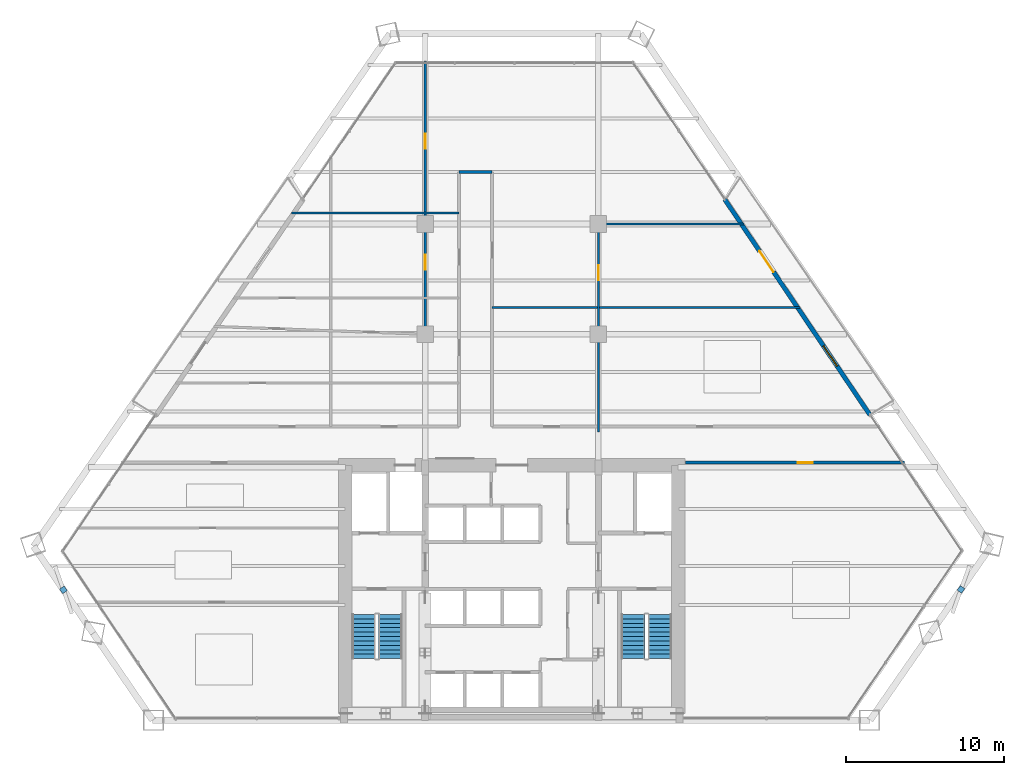
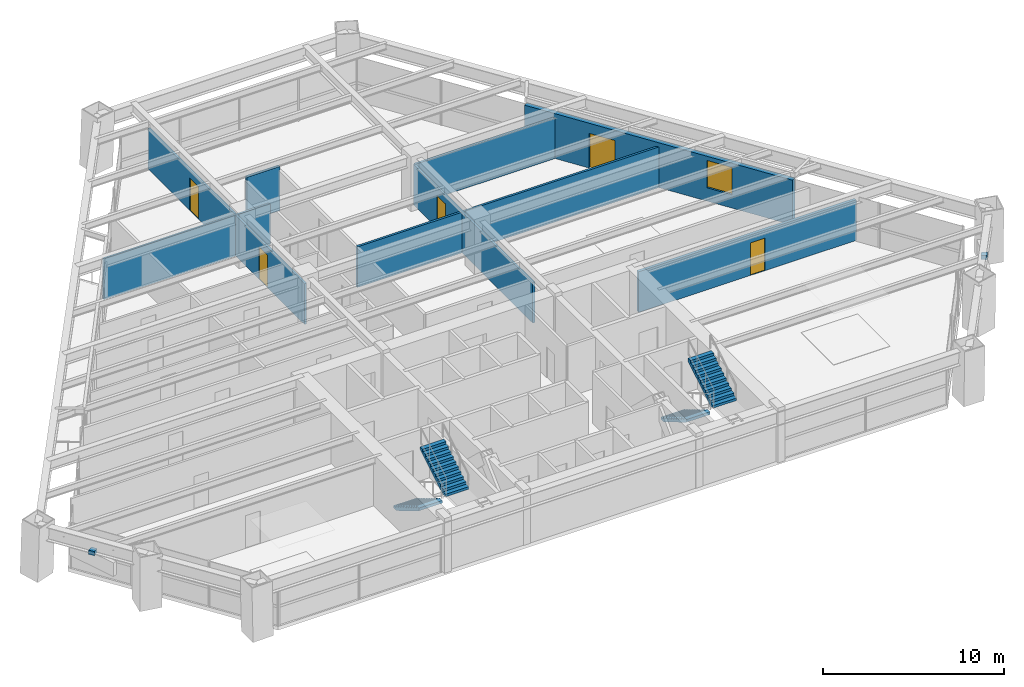
# One storey, part 12 of 14: 8 walls, 5 doors, 4 stair flights, 2 discrete accessories, 1 window, 6 openings, 2 elements without a shape of their own.
"""IFC4 building model written with IfcOpenShell, lengths in metres."""

from ifc_helpers import new_model, si_unit, direction, frame, frame_2d, origin, origin_2d, place, context, subcontext, project, spatial, polyline, rectangle, outline, extrude, source, transform, mapped, material, layer, layer_set, type_object, type_shapes, element, fill, aggregate, save


model = new_model("IFC4")

# Units and contexts
model_context = context("Model", 3, precision=1e-05, world=origin(), true_north=direction((0.0, 1.0)))
body_context = subcontext(model_context, "Body", "Model", "MODEL_VIEW")
ifc_project = project(units=[si_unit("LENGTHUNIT", "METRE"), si_unit("AREAUNIT", "SQUARE_METRE"), si_unit("VOLUMEUNIT", "CUBIC_METRE"), si_unit("PLANEANGLEUNIT", "RADIAN"), si_unit("MASSUNIT", "GRAM", prefix="KILO")], contexts=[model_context])

# Site, building, storey
site_placement = place(None, origin())
site = spatial("IfcSite", under=ifc_project, at=site_placement, CompositionType="ELEMENT")
building_placement = place(site_placement, origin())
building = spatial("IfcBuilding", under=site, at=building_placement, Name="Varnakhor Terracotta Tower", CompositionType="ELEMENT")
storey_placement = place(building_placement, frame((0.0, 0.0, 42.300048828125)))
storey = spatial("IfcBuildingStorey", under=building, at=storey_placement, Name="L09", CompositionType="ELEMENT", Elevation=42.300048828125)

# Wall, opening, door
ifc_material_1 = material(Name="Fire-Rated Gypsum Stud Partition", Category="gypsum")
ifc_layer_1 = layer(ifc_material_1, 0.18505859375, Name="Fire-Rated Gypsum Stud Partition")
ifc_layer_set_1 = layer_set([ifc_layer_1], Name="Fire-Rated Gypsum Stud Partition")
wall_type_1 = type_object("IfcWallType", Name="WAL-CORR-185", PredefinedType="PARTITIONING", material=ifc_layer_set_1)
wall_1_placement = place(storey_placement, frame((11.02001953125, 16.35009765625, 0.0), z_axis=(0.0, 0.0, 1.0), x_axis=(1.0, 0.0, 0.0)))
wall_1 = element("IfcWall", 1, at=wall_1_placement, inside=storey, type_object=wall_type_1, Name="L09 South East Corridor Wall", PredefinedType="PARTITIONING", context=body_context, shape_type="SweptSolid", body=[
    extrude(rectangle(XDim=13.910400390625, YDim=0.18505859375, at=frame_2d((6.955078125, 0.0))), origin(), (0.0, 0.0, 1.0), 2.7470703125),
])
opening_1_placement = place(wall_1_placement, frame((7.141845703125, 0.0, 0.0)))
opening_1 = element("IfcOpeningElement", 2, at=opening_1_placement, cuts=wall_1, Name="Opening DR-94", PredefinedType="OPENING", context=body_context, shape_type="SweptSolid", body=[
    extrude(rectangle(XDim=0.949951171875, YDim=2.199951171875, at=frame_2d((0.47509765625, 1.10009765625))), frame((0.0, 0.1025390625, 0.0), z_axis=(0.0, -1.0, 0.0), x_axis=(1.0, 0.0, 0.0)), (0.0, 0.0, 1.0), 0.205078125),
])
ifc_material_2 = material(Name="Acoustic Glazed-Vision Timber Office Door", Category="wood")
door_type_1 = type_object("IfcDoorType", Name="DR-OFF-950X2200", OperationType="NOTDEFINED", PredefinedType="DOOR", material=ifc_material_2)
shared_shape_1 = source(origin(), body_context, "Body", "SweptSolid", [
    extrude(rectangle(XDim=0.949951171875, YDim=2.199951171875, at=frame_2d((0.47509765625, 1.10009765625))), frame((0.0, 0.02490234375, 0.0), z_axis=(0.0, -1.0, 0.0), x_axis=(1.0, 0.0, 0.0)), (0.0, 0.0, 1.0), 0.050048828125),
])
type_shapes(door_type_1, [shared_shape_1])
door_1_placement = place(opening_1_placement, origin())
door_1 = element("IfcDoor", 3, at=door_1_placement, inside=storey, type_object=door_type_1, Name="L09 SE Suite Door", OperationType="SINGLE_SWING_LEFT", OverallHeight=2.199951171875, OverallWidth=0.949951171875, PredefinedType="DOOR", context=body_context, shape_type="MappedRepresentation", body=[
    mapped(shared_shape_1, transform((0.0, 0.0, 0.0), scale=1.0)),
])
fill(opening_1, door_1)

# Wall
wall_2_placement = place(storey_placement, frame((-3.35009765625, 34.800048828125, 0.0), z_axis=(0.0, 0.0, 1.0), x_axis=(1.0, 0.0, 0.0)))
element("IfcWall", 4, at=wall_2_placement, inside=storey, type_object=wall_type_1, Name="L09 Spine North End Wall", PredefinedType="PARTITIONING", context=body_context, shape_type="SweptSolid", body=[
    extrude(rectangle(XDim=2.10009765625, YDim=0.18505859375, at=frame_2d((1.050048828125, 0.0))), origin(), (0.0, 0.0, 1.0), 2.97900390625),
])

# Wall, openings, door, window
ifc_material_3 = material(Name="Extruded Architectural Terracotta Assembly", Category="masonry")
ifc_layer_2 = layer(ifc_material_3, 0.280029296875, Name="Extruded Architectural Terracotta Assembly")
ifc_layer_set_2 = layer_set([ifc_layer_2], Name="Extruded Architectural Terracotta Assembly")
wall_type_2 = type_object("IfcWallType", Name="WAL-EXT-TERRACOTTA-280", PredefinedType="SOLIDWALL", material=ifc_layer_set_2)
wall_3_placement = place(storey_placement, frame((13.517333984375, 33.065673828125, 0.0), z_axis=(0.0, 0.0, 1.0), x_axis=(0.558563601605, -0.829461694692, 0.0)))
wall_3 = element("IfcWall", 5, at=wall_3_placement, inside=storey, type_object=wall_type_2, Name="L09 E Loggia Insulated Terracotta Wall", PredefinedType="SOLIDWALL", context=body_context, shape_type="SweptSolid", body=[
    extrude(rectangle(XDim=16.4970703125, YDim=0.280029296875, at=frame_2d((8.24853515625, 0.0))), origin(), (0.0, 0.0, 1.0), 3.030029296875),
])
opening_2_placement = place(wall_3_placement, frame((3.959228515625, 0.0, 0.0)))
opening_2 = element("IfcOpeningElement", 6, at=opening_2_placement, cuts=wall_3, Name="Opening DR-62", PredefinedType="OPENING", context=body_context, shape_type="SweptSolid", body=[
    extrude(rectangle(XDim=1.60009765625, YDim=2.35009765625, at=frame_2d((0.800048828125, 1.175048828125))), frame((0.0, 0.14990234375, 0.0), z_axis=(0.0, -1.0, 0.0), x_axis=(1.0, 0.0, 0.0)), (0.0, 0.0, 1.0), 0.300048828125),
])
opening_3_placement = place(wall_3_placement, frame((11.218017578125, 0.0, 0.89990234375)))
opening_3 = element("IfcOpeningElement", 7, at=opening_3_placement, cuts=wall_3, Name="Opening WN-57", PredefinedType="OPENING", context=body_context, shape_type="SweptSolid", body=[
    extrude(rectangle(XDim=1.550048828125, YDim=1.85009765625, at=frame_2d((0.77490234375, 0.925048828125))), frame((0.0, 0.14990234375, 0.0), z_axis=(0.0, -1.0, 0.0), x_axis=(1.0, 0.0, 0.0)), (0.0, 0.0, 1.0), 0.300048828125),
])
ifc_material_4 = material(Name="Thermally Broken Sliding Glass Loggia Door", Category="glass")
door_type_2 = type_object("IfcDoorType", Name="DR-EXT-LOGGIA-1600X2350", OperationType="NOTDEFINED", PredefinedType="DOOR", material=ifc_material_4)
shared_shape_2 = source(origin(), body_context, "Body", "SweptSolid", [
    extrude(rectangle(XDim=1.60009765625, YDim=2.35009765625, at=frame_2d((0.800048828125, 1.175048828125))), frame((0.0, 0.02490234375, 0.0), z_axis=(0.0, -1.0, 0.0), x_axis=(1.0, 0.0, 0.0)), (0.0, 0.0, 1.0), 0.050048828125),
])
type_shapes(door_type_2, [shared_shape_2])
door_2_placement = place(opening_2_placement, origin())
door_2 = element("IfcDoor", 8, at=door_2_placement, inside=storey, type_object=door_type_2, Name="L09 E Recessed Loggia Sliding Door", OperationType="SLIDING_TO_RIGHT", OverallHeight=2.35009765625, OverallWidth=1.60009765625, PredefinedType="DOOR", context=body_context, shape_type="MappedRepresentation", body=[
    mapped(shared_shape_2, transform((0.0, 0.0, 0.0), scale=1.0)),
])
fill(opening_2, door_2)
ifc_material_5 = material(Name="Solar-Control Low-E Insulated Glass Unit", Category="glass")
window_type = type_object("IfcWindowType", Name="WIN-OFF-1650X2100", PartitioningType="SINGLE_PANEL", PredefinedType="WINDOW", material=ifc_material_5)
shared_shape_3 = source(origin(), body_context, "Body", "SweptSolid", [
    extrude(rectangle(XDim=1.550048828125, YDim=1.85009765625, at=frame_2d((0.77490234375, 0.925048828125))), frame((0.0, 0.030029296875, 0.0), z_axis=(0.0, -1.0, 0.0), x_axis=(1.0, 0.0, 0.0)), (0.0, 0.0, 1.0), 0.06005859375),
])
type_shapes(window_type, [shared_shape_3])
window_placement = place(opening_3_placement, origin())
window = element("IfcWindow", 9, at=window_placement, inside=storey, type_object=window_type, Name="L09 E Facet Punched Window", OverallHeight=1.85009765625, OverallWidth=1.550048828125, PartitioningType="SINGLE_PANEL", PredefinedType="WINDOW", context=body_context, shape_type="MappedRepresentation", body=[
    mapped(shared_shape_3, transform((0.0, 0.0, 0.0), scale=1.0)),
])
fill(opening_3, window)

# Wall, openings, doors
ifc_material_6 = material(Name="Acoustic Metal-Stud Partition", Category="gypsum")
ifc_layer_3 = layer(ifc_material_6, 0.139892578125, Name="Acoustic Metal-Stud Partition")
ifc_layer_set_3 = layer_set([ifc_layer_3], Name="Acoustic Metal-Stud Partition")
wall_type_3 = type_object("IfcWallType", Name="WAL-PART-140", PredefinedType="PARTITIONING", material=ifc_layer_set_3)
wall_4_placement = place(storey_placement, frame((-5.5, 24.5, 0.0), z_axis=(0.0, 0.0, 1.0), x_axis=(0.0, 1.0, 0.0)))
wall_4 = element("IfcWall", 10, at=wall_4_placement, inside=storey, type_object=wall_type_3, Name="L09 West Upper Column Wall", PredefinedType="PARTITIONING", context=body_context, shape_type="SweptSolid", body=[
    extrude(rectangle(XDim=17.341796875, YDim=0.139892578125, at=frame_2d((8.6708984375, 0.0))), origin(), (0.0, 0.0, 1.0), 2.7470703125),
])
opening_4_placement = place(wall_4_placement, frame((11.762451171875, 0.0, 0.0)))
opening_4 = element("IfcOpeningElement", 11, at=opening_4_placement, cuts=wall_4, Name="Opening DR-94", PredefinedType="OPENING", context=body_context, shape_type="SweptSolid", body=[
    extrude(rectangle(XDim=0.949951171875, YDim=2.199951171875, at=frame_2d((0.47509765625, 1.10009765625))), frame((0.0, 0.080078125, 0.0), z_axis=(0.0, -1.0, 0.0), x_axis=(1.0, 0.0, 0.0)), (0.0, 0.0, 1.0), 0.159912109375),
])
opening_5_placement = place(wall_4_placement, frame((4.10009765625, 0.0, 0.0)))
opening_5 = element("IfcOpeningElement", 12, at=opening_5_placement, cuts=wall_4, Name="Opening DR-94", PredefinedType="OPENING", context=body_context, shape_type="SweptSolid", body=[
    extrude(rectangle(XDim=0.949951171875, YDim=2.199951171875, at=frame_2d((0.47509765625, 1.10009765625))), frame((0.0, 0.080078125, 0.0), z_axis=(0.0, -1.0, 0.0), x_axis=(1.0, 0.0, 0.0)), (0.0, 0.0, 1.0), 0.159912109375),
])
door_3_placement = place(opening_4_placement, origin())
door_3 = element("IfcDoor", 13, at=door_3_placement, inside=storey, type_object=door_type_1, Name="L09 Trading Workplace East B19 Door", OperationType="SINGLE_SWING_LEFT", OverallHeight=2.199951171875, OverallWidth=0.949951171875, PredefinedType="DOOR", context=body_context, shape_type="MappedRepresentation", body=[
    mapped(shared_shape_1, transform((0.0, 0.0, 0.0), scale=1.0)),
])
fill(opening_4, door_3)
door_4_placement = place(opening_5_placement, origin())
door_4 = element("IfcDoor", 14, at=door_4_placement, inside=storey, type_object=door_type_1, Name="L09 Client Reception Door", OperationType="SINGLE_SWING_RIGHT", OverallHeight=2.199951171875, OverallWidth=0.949951171875, PredefinedType="DOOR", context=body_context, shape_type="MappedRepresentation", body=[
    mapped(shared_shape_1, transform((0.0, 0.0, 0.0), scale=1.0)),
])
fill(opening_5, door_4)

# Wall, opening, door
wall_5_placement = place(storey_placement, frame((5.5, 18.300048828125, 0.0), z_axis=(0.0, 0.0, 1.0), x_axis=(0.0, 1.0, 0.0)))
wall_5 = element("IfcWall", 15, at=wall_5_placement, inside=storey, type_object=wall_type_3, Name="L09 East Lower Column Wall", PredefinedType="PARTITIONING", context=body_context, shape_type="SweptSolid", body=[
    extrude(rectangle(XDim=13.199951171875, YDim=0.139892578125, at=frame_2d((6.60009765625, 0.0))), origin(), (0.0, 0.0, 1.0), 2.7470703125),
])
opening_6_placement = place(wall_5_placement, frame((9.64208984375, 0.0, 0.0)))
opening_6 = element("IfcOpeningElement", 16, at=opening_6_placement, cuts=wall_5, Name="Opening DR-94", PredefinedType="OPENING", context=body_context, shape_type="SweptSolid", body=[
    extrude(rectangle(XDim=0.949951171875, YDim=2.199951171875, at=frame_2d((0.47509765625, 1.10009765625))), frame((0.0, 0.080078125, 0.0), z_axis=(0.0, -1.0, 0.0), x_axis=(1.0, 0.0, 0.0)), (0.0, 0.0, 1.0), 0.159912109375),
])
door_5_placement = place(opening_6_placement, origin())
door_5 = element("IfcDoor", 17, at=door_5_placement, inside=storey, type_object=door_type_1, Name="L09 Seminar Training Room Door", OperationType="SINGLE_SWING_LEFT", OverallHeight=2.199951171875, OverallWidth=0.949951171875, PredefinedType="DOOR", context=body_context, shape_type="MappedRepresentation", body=[
    mapped(shared_shape_1, transform((0.0, 0.0, 0.0), scale=1.0)),
])
fill(opening_6, door_5)

# Walls
wall_6_placement = place(storey_placement, frame((5.5, 31.5, 0.0), z_axis=(0.0, 0.0, 1.0), x_axis=(1.0, 0.0, 0.0)))
element("IfcWall", 18, at=wall_6_placement, inside=storey, type_object=wall_type_3, Name="L09 North East Column Wall", PredefinedType="PARTITIONING", context=body_context, shape_type="SweptSolid", body=[
    extrude(rectangle(XDim=9.228515625, YDim=0.139892578125, at=frame_2d((4.6142578125, 0.0))), origin(), (0.0, 0.0, 1.0), 2.7470703125),
])
wall_7_placement = place(storey_placement, frame((-13.99365234375, 32.199951171875, 0.0), z_axis=(0.0, 0.0, 1.0), x_axis=(1.0, 0.0, 0.0)))
element("IfcWall", 19, at=wall_7_placement, inside=storey, type_object=wall_type_3, Name="L09 West Wing Cut 3", PredefinedType="PARTITIONING", context=body_context, shape_type="SweptSolid", body=[
    extrude(rectangle(XDim=10.6435546875, YDim=0.139892578125, at=frame_2d((5.32177734375, 0.0))), origin(), (0.0, 0.0, 1.0), 2.7470703125),
])
wall_8_placement = place(storey_placement, frame((-1.25, 26.199951171875, 0.0), z_axis=(0.0, 0.0, 1.0), x_axis=(1.0, 0.0, 0.0)))
element("IfcWall", 20, at=wall_8_placement, inside=storey, type_object=wall_type_3, Name="L09 East Wing Cut 1", PredefinedType="PARTITIONING", context=body_context, shape_type="SweptSolid", body=[
    extrude(rectangle(XDim=19.547607421875, YDim=0.139892578125, at=frame_2d((9.77392578125, 0.0))), origin(), (0.0, 0.0, 1.0), 2.7470703125),
])

# Stair, stair flights
ifc_material_7 = material(Name="Concrete C40/50", Category="concrete")
stair_type = type_object("IfcStairType", Name="STR-CORE-OFFICE-1500", PredefinedType="HALF_TURN_STAIR", material=ifc_material_7)
stair_1_placement = place(storey_placement, origin())
stair_1 = element("IfcStair", 21, at=stair_1_placement, inside=storey, type_object=stair_type, Name="L09 Core Exit Stair ST-1", PredefinedType="HALF_TURN_STAIR")
stair_flight_type = type_object("IfcStairFlightType", Name="FLT-CORE-1500", PredefinedType="STRAIGHT", material=ifc_material_7)
stair_flight_1_placement = place(storey_placement, frame((-9.39990234375, 6.7099609375, 0.0), z_axis=(0.0, 0.0, 1.0), x_axis=(0.0, -1.0, 0.0)))
stair_flight_1 = element("IfcStairFlight", 22, at=stair_flight_1_placement, type_object=stair_flight_type, Name="ST-1 flight 1", NumberOfRisers=11, NumberOfTreads=10, PredefinedType="STRAIGHT", RiserHeight=0.168181818, TreadLength=0.28, context=body_context, shape_type="SweptSolid", body=[
    extrude(outline(polyline([(0.0, 0.0), (0.0, 0.168212890625), (0.280029296875, 0.168212890625), (0.280029296875, 0.33642578125), (0.56005859375, 0.33642578125), (0.56005859375, 0.504638671875), (0.840087890625, 0.504638671875), (0.840087890625, 0.672607421875), (1.1201171875, 0.672607421875), (1.1201171875, 0.8408203125), (1.39990234375, 0.8408203125), (1.39990234375, 1.009033203125), (1.679931640625, 1.009033203125), (1.679931640625, 1.17724609375), (1.9599609375, 1.17724609375), (1.9599609375, 1.345458984375), (2.239990234375, 1.345458984375), (2.239990234375, 1.513671875), (2.52001953125, 1.513671875), (2.52001953125, 1.681884765625), (2.800048828125, 1.681884765625), (2.800048828125, 1.85009765625), (2.800048828125, 1.495361328125), (0.310546875, 0.0), (0.0, 0.0)])), frame((0.0, 0.75, 0.0), z_axis=(0.0, -1.0, 0.0), x_axis=(1.0, 0.0, 0.0)), (0.0, 0.0, 1.0), 1.5),
])
stair_flight_2_placement = place(storey_placement, frame((-7.699951171875, 3.909912109375, 1.849853515625), z_axis=(0.0, 0.0, 1.0), x_axis=(0.0, 1.0, 0.0)))
stair_flight_2 = element("IfcStairFlight", 23, at=stair_flight_2_placement, type_object=stair_flight_type, Name="ST-1 flight 2", NumberOfRisers=11, NumberOfTreads=10, PredefinedType="STRAIGHT", RiserHeight=0.168181818, TreadLength=0.28, context=body_context, shape_type="SweptSolid", body=[
    extrude(outline(polyline([(0.0, 0.0), (0.0, 0.168212890625), (0.280029296875, 0.168212890625), (0.280029296875, 0.33642578125), (0.56005859375, 0.33642578125), (0.56005859375, 0.504638671875), (0.840087890625, 0.504638671875), (0.840087890625, 0.672607421875), (1.1201171875, 0.672607421875), (1.1201171875, 0.8408203125), (1.39990234375, 0.8408203125), (1.39990234375, 1.009033203125), (1.679931640625, 1.009033203125), (1.679931640625, 1.17724609375), (1.9599609375, 1.17724609375), (1.9599609375, 1.345458984375), (2.239990234375, 1.345458984375), (2.239990234375, 1.513671875), (2.52001953125, 1.513671875), (2.52001953125, 1.681884765625), (2.800048828125, 1.681884765625), (2.800048828125, 1.85009765625), (2.800048828125, 1.495361328125), (0.310546875, 0.0), (0.0, 0.0)])), frame((0.0, 0.75, 0.0), z_axis=(0.0, -1.0, 0.0), x_axis=(1.0, 0.0, 0.0)), (0.0, 0.0, 1.0), 1.5),
])
aggregate(stair_1, [stair_flight_1, stair_flight_2])

stair_2_placement = place(storey_placement, origin())
stair_2 = element("IfcStair", 24, at=stair_2_placement, inside=storey, type_object=stair_type, Name="L09 Core Exit Stair ST-2", PredefinedType="HALF_TURN_STAIR")
stair_flight_3_placement = place(storey_placement, frame((7.699951171875, 6.7099609375, 0.0), z_axis=(0.0, 0.0, 1.0), x_axis=(0.0, -1.0, 0.0)))
stair_flight_3 = element("IfcStairFlight", 25, at=stair_flight_3_placement, type_object=stair_flight_type, Name="ST-2 flight 1", NumberOfRisers=11, NumberOfTreads=10, PredefinedType="STRAIGHT", RiserHeight=0.168181818, TreadLength=0.28, context=body_context, shape_type="SweptSolid", body=[
    extrude(outline(polyline([(0.0, 0.0), (0.0, 0.168212890625), (0.280029296875, 0.168212890625), (0.280029296875, 0.33642578125), (0.56005859375, 0.33642578125), (0.56005859375, 0.504638671875), (0.840087890625, 0.504638671875), (0.840087890625, 0.672607421875), (1.1201171875, 0.672607421875), (1.1201171875, 0.8408203125), (1.39990234375, 0.8408203125), (1.39990234375, 1.009033203125), (1.679931640625, 1.009033203125), (1.679931640625, 1.17724609375), (1.9599609375, 1.17724609375), (1.9599609375, 1.345458984375), (2.239990234375, 1.345458984375), (2.239990234375, 1.513671875), (2.52001953125, 1.513671875), (2.52001953125, 1.681884765625), (2.800048828125, 1.681884765625), (2.800048828125, 1.85009765625), (2.800048828125, 1.495361328125), (0.310546875, 0.0), (0.0, 0.0)])), frame((0.0, 0.75, 0.0), z_axis=(0.0, -1.0, 0.0), x_axis=(1.0, 0.0, 0.0)), (0.0, 0.0, 1.0), 1.5),
])
stair_flight_4_placement = place(storey_placement, frame((9.39990234375, 3.909912109375, 1.849853515625), z_axis=(0.0, 0.0, 1.0), x_axis=(0.0, 1.0, 0.0)))
stair_flight_4 = element("IfcStairFlight", 26, at=stair_flight_4_placement, type_object=stair_flight_type, Name="ST-2 flight 2", NumberOfRisers=11, NumberOfTreads=10, PredefinedType="STRAIGHT", RiserHeight=0.168181818, TreadLength=0.28, context=body_context, shape_type="SweptSolid", body=[
    extrude(outline(polyline([(0.0, 0.0), (0.0, 0.168212890625), (0.280029296875, 0.168212890625), (0.280029296875, 0.33642578125), (0.56005859375, 0.33642578125), (0.56005859375, 0.504638671875), (0.840087890625, 0.504638671875), (0.840087890625, 0.672607421875), (1.1201171875, 0.672607421875), (1.1201171875, 0.8408203125), (1.39990234375, 0.8408203125), (1.39990234375, 1.009033203125), (1.679931640625, 1.009033203125), (1.679931640625, 1.17724609375), (1.9599609375, 1.17724609375), (1.9599609375, 1.345458984375), (2.239990234375, 1.345458984375), (2.239990234375, 1.513671875), (2.52001953125, 1.513671875), (2.52001953125, 1.681884765625), (2.800048828125, 1.681884765625), (2.800048828125, 1.85009765625), (2.800048828125, 1.495361328125), (0.310546875, 0.0), (0.0, 0.0)])), frame((0.0, 0.75, 0.0), z_axis=(0.0, -1.0, 0.0), x_axis=(1.0, 0.0, 0.0)), (0.0, 0.0, 1.0), 1.5),
])
aggregate(stair_2, [stair_flight_3, stair_flight_4])

# Discrete accessories
ifc_material_8 = material(Name="Stainless Steel Fixing Bracket", Category="steel")
discrete_accessory_type = type_object("IfcDiscreteAccessoryType", Name="BRACKET-TERRACOTTA-SCREEN", PredefinedType="BRACKET", material=ifc_material_8)
shared_shape_4 = source(origin(), body_context, "Body", "SweptSolid", [
    extrude(rectangle(XDim=0.35009765625, YDim=0.35009765625, at=origin_2d()), origin(), (0.0, 0.0, 1.0), 0.280029296875),
])
type_shapes(discrete_accessory_type, [shared_shape_4])
for number, where, z_axis, x_axis, name in (
    (27, (28.515625, 8.29833984375, 2.39306640625), (0.0, 0.0, 1.0), (0.57054157408, 0.821268721093, 0.0), "L09 E Screen Fixing Bracket"),
    (28, (-28.465087890625, 8.27197265625, 2.39306640625), (0.0, 0.0, 1.0), (0.56509660498, -0.82502474329, 0.0), "L09 W Screen Fixing Bracket"),
):
    element("IfcDiscreteAccessory", number, at=place(storey_placement, frame(where, z_axis=z_axis, x_axis=x_axis)), inside=storey, type_object=discrete_accessory_type, Name=name, PredefinedType="BRACKET", context=body_context, shape_type="MappedRepresentation", body=[
        mapped(shared_shape_4, transform((0.0, 0.0, 0.0), scale=1.0)),
    ])

save(model, "model.ifc")
